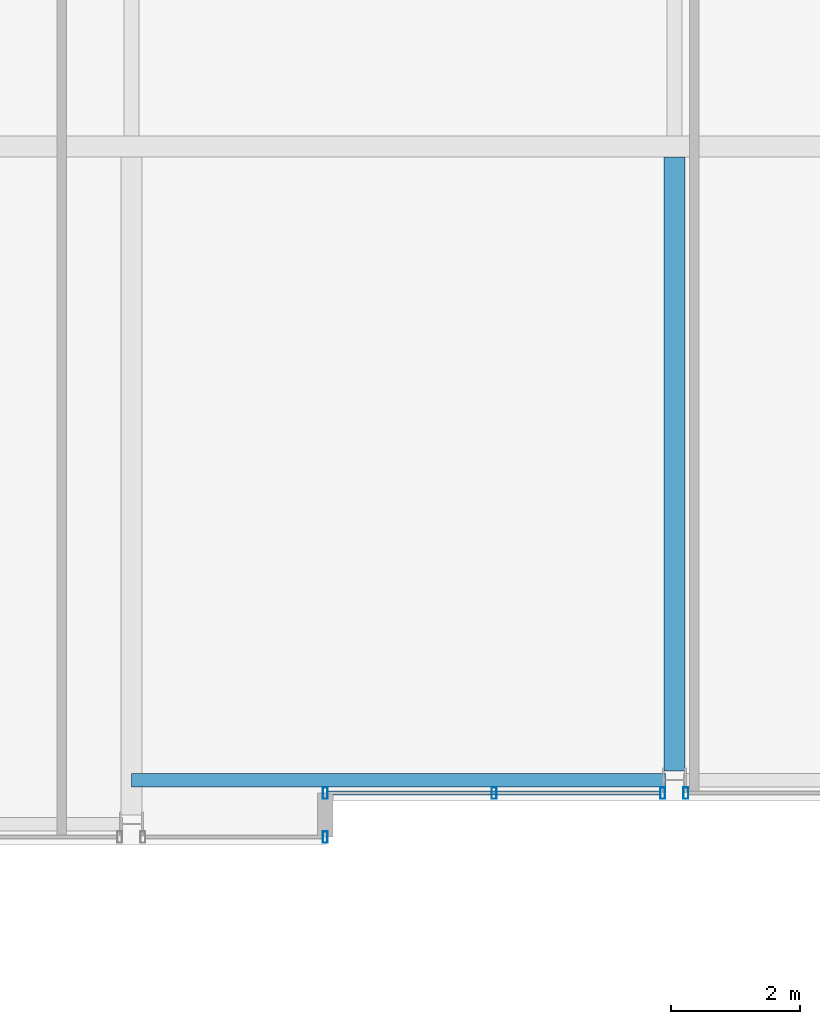
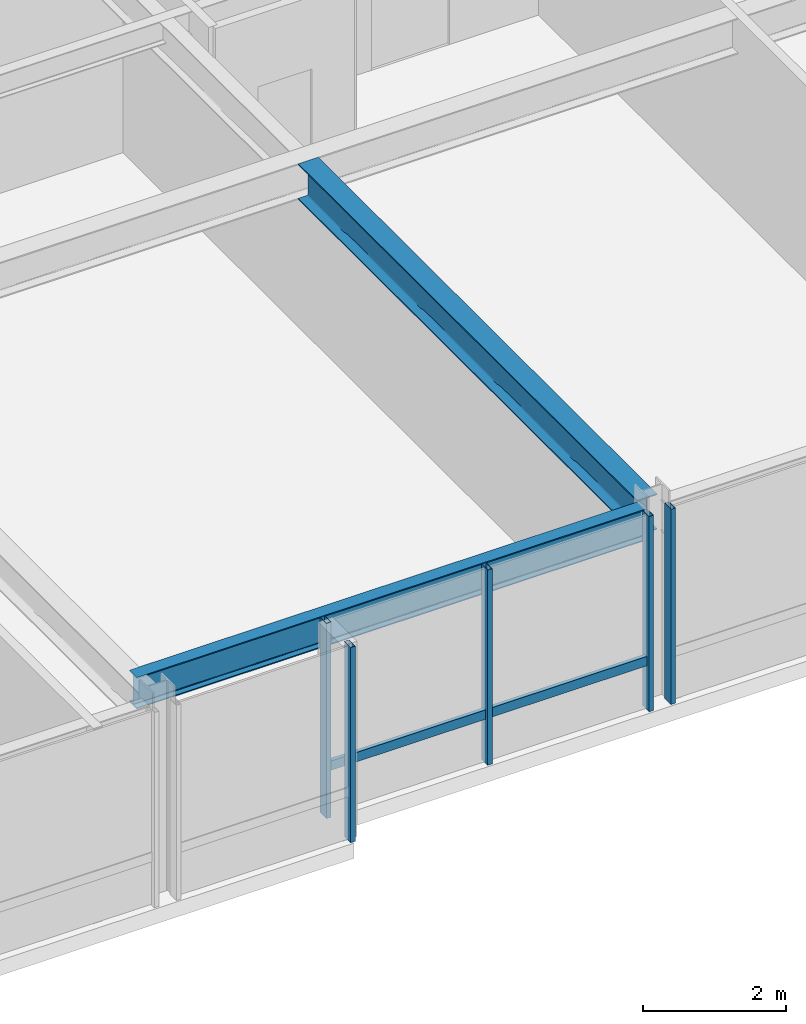
# One storey, part 7 of 31: 6 members, 2 beams, 3 elements without a shape of their own.
"""IFC4 building model written with IfcOpenShell, lengths in metres."""

from ifc_helpers import new_model, si_unit, direction, frame, origin, origin_2d, place, context, subcontext, project, spatial, hollow_rectangle, i_section, extrude, material, layer, layer_set, material_profile, profile_set, type_object, element, aggregate, save


model = new_model("IFC4")

# Units and contexts
model_context = context("Model", 3, precision=1e-05, world=origin(), true_north=direction((0.0, 1.0)))
body_context = subcontext(model_context, "Body", "Model", "MODEL_VIEW")
ifc_project = project(units=[si_unit("LENGTHUNIT", "METRE"), si_unit("AREAUNIT", "SQUARE_METRE"), si_unit("VOLUMEUNIT", "CUBIC_METRE"), si_unit("PLANEANGLEUNIT", "RADIAN"), si_unit("MASSUNIT", "GRAM", prefix="KILO")], contexts=[model_context])

# Site, building, storey
site_placement = place(None, origin())
site = spatial("IfcSite", under=ifc_project, at=site_placement, CompositionType="ELEMENT")
building_placement = place(site_placement, origin())
building = spatial("IfcBuilding", under=site, at=building_placement, Name="Drelvath Grand Hotel", CompositionType="ELEMENT")
storey_placement = place(building_placement, frame((0.0, 0.0, 244.699951171875)))
storey = spatial("IfcBuildingStorey", under=building, at=storey_placement, Name="L64", CompositionType="ELEMENT", Elevation=244.699951171875)

# Curtain wall, members
ifc_material_1 = material(Name="Platinum-Mist Anodised Aluminium Frame", Category="aluminium")
ifc_layer = layer(ifc_material_1, 0.199951171875)
ifc_layer_set = layer_set([ifc_layer], Name="Platinum-Mist Anodised Aluminium Frame")
curtain_wall_type = type_object("IfcCurtainWallType", Name="Stick Curtain Wall CW-05 Platinum Mist High-Rise", PredefinedType="NOTDEFINED", material=ifc_layer_set)
curtain_wall_1_placement = place(storey_placement, origin())
curtain_wall_1 = element("IfcCurtainWall", 1, at=curtain_wall_1_placement, inside=storey, type_object=curtain_wall_type, Name="L64 CW-05 Curtain Wall CW05-L64-SM1", PredefinedType="NOTDEFINED")
ifc_material_profile_1 = material_profile(ifc_material_1, hollow_rectangle(XDim=0.06494140625, YDim=0.159912109375, WallThickness=0.00390625, at=origin_2d()), Name="HSS160X65X4")
ifc_profile_set_1 = profile_set([ifc_material_profile_1], Name="Platinum-Mist Anodised Aluminium Frame")
member_type_1 = type_object("IfcMemberType", Name="Curtain Wall Horizontal Transom CW-05 HSS160X65X4", PredefinedType="USERDEFINED", material=ifc_profile_set_1)
member_1_placement = place(storey_placement, frame((-0.21826171875, 0.800048828125, 0.8349609375), z_axis=(-1.0, 0.0, 0.0), x_axis=(0.0, -1.0, 0.0)))
member_1 = element("IfcMember", 2, at=member_1_placement, type_object=member_type_1, Name="CW05-L64-SM1 Sill Transom", ObjectType="TRANSOM", PredefinedType="USERDEFINED", context=body_context, shape_type="SweptSolid", body=[
    extrude(hollow_rectangle(XDim=0.06494140625, YDim=0.159912109375, WallThickness=0.00390625, at=origin_2d()), origin(), (0.0, 0.0, 1.0), 5.141845703125),
])
ifc_material_profile_2 = material_profile(ifc_material_1, hollow_rectangle(XDim=0.074951171875, YDim=0.179931640625, WallThickness=0.0048828125, at=origin_2d()), Name="HSS180X75X5")
ifc_profile_set_2 = profile_set([ifc_material_profile_2], Name="Platinum-Mist Anodised Aluminium Frame")
member_type_2 = type_object("IfcMemberType", Name="Curtain Wall Vertical Mullion CW-05 HSS180X75X5", PredefinedType="MULLION", material=ifc_profile_set_2)
member_2_placement = place(storey_placement, frame((-0.17822265625, 0.800048828125, 0.0), z_axis=(0.0, 0.0, 1.0), x_axis=(1.0, 0.0, 0.0)))
member_2 = element("IfcMember", 3, at=member_2_placement, type_object=member_type_2, Name="CW05-L64-SM1 Mullion 1", PredefinedType="MULLION", context=body_context, shape_type="SweptSolid", body=[
    extrude(hollow_rectangle(XDim=0.074951171875, YDim=0.179931640625, WallThickness=0.0048828125, at=origin_2d()), origin(), (0.0, 0.0, 1.0), 3.340087890625),
])
member_3_placement = place(storey_placement, frame((-2.7890625, 0.800048828125, 0.0), z_axis=(0.0, 0.0, 1.0), x_axis=(1.0, 0.0, 0.0)))
member_3 = element("IfcMember", 4, at=member_3_placement, type_object=member_type_2, Name="CW05-L64-SM1 Mullion 2", PredefinedType="MULLION", context=body_context, shape_type="SweptSolid", body=[
    extrude(hollow_rectangle(XDim=0.074951171875, YDim=0.179931640625, WallThickness=0.0048828125, at=origin_2d()), origin(), (0.0, 0.0, 1.0), 3.340087890625),
])
member_4_placement = place(storey_placement, frame((-5.39990234375, 0.800048828125, 0.0), z_axis=(0.0, 0.0, 1.0), x_axis=(1.0, 0.0, 0.0)))
member_4 = element("IfcMember", 5, at=member_4_placement, type_object=member_type_2, Name="CW05-L64-SM1 Mullion 3", PredefinedType="MULLION", context=body_context, shape_type="SweptSolid", body=[
    extrude(hollow_rectangle(XDim=0.074951171875, YDim=0.179931640625, WallThickness=0.0048828125, at=origin_2d()), origin(), (0.0, 0.0, 1.0), 3.340087890625),
])
aggregate(curtain_wall_1, [member_2, member_3, member_4, member_1])

# Curtain wall, member
curtain_wall_2_placement = place(storey_placement, origin())
curtain_wall_2 = element("IfcCurtainWall", 6, at=curtain_wall_2_placement, inside=storey, type_object=curtain_wall_type, Name="L64 CW-05 Curtain Wall CW05-L64-SM2", PredefinedType="NOTDEFINED")
member_5_placement = place(storey_placement, frame((0.17822265625, 0.800048828125, 0.0), z_axis=(0.0, 0.0, 1.0), x_axis=(1.0, 0.0, 0.0)))
member_5 = element("IfcMember", 7, at=member_5_placement, type_object=member_type_2, Name="CW05-L64-SM2 Mullion 3", PredefinedType="MULLION", context=body_context, shape_type="SweptSolid", body=[
    extrude(hollow_rectangle(XDim=0.074951171875, YDim=0.179931640625, WallThickness=0.0048828125, at=origin_2d()), origin(), (0.0, 0.0, 1.0), 3.340087890625),
])
aggregate(curtain_wall_2, [member_5])

curtain_wall_3_placement = place(storey_placement, origin())
curtain_wall_3 = element("IfcCurtainWall", 8, at=curtain_wall_3_placement, inside=storey, type_object=curtain_wall_type, Name="L64 CW-05 Curtain Wall CW05-L64-SW3", PredefinedType="NOTDEFINED")
member_6_placement = place(storey_placement, frame((-5.39990234375, 0.1201171875, 0.0), z_axis=(0.0, 0.0, 1.0), x_axis=(1.0, 0.0, 0.0)))
member_6 = element("IfcMember", 9, at=member_6_placement, type_object=member_type_2, Name="CW05-L64-SW3 Mullion 1", PredefinedType="MULLION", context=body_context, shape_type="SweptSolid", body=[
    extrude(hollow_rectangle(XDim=0.074951171875, YDim=0.179931640625, WallThickness=0.0048828125, at=origin_2d()), origin(), (0.0, 0.0, 1.0), 3.340087890625),
])
aggregate(curtain_wall_3, [member_6])

# Beams
ifc_material_2 = material(Name="Steel ASTM A992 Gr 50", Category="steel")
ifc_material_profile_3 = material_profile(ifc_material_2, i_section(OverallWidth=0.210205078125, OverallDepth=0.53662109375, WebThickness=0.010986328125, FlangeThickness=0.017333984375, FilletRadius=0.01806640625, at=origin_2d()), Name="W21X68")
ifc_profile_set_3 = profile_set([ifc_material_profile_3], Name="Steel ASTM A992 Gr 50")
beam_type_1 = type_object("IfcBeamType", Name="Perimeter Spandrel Beam W21X68", PredefinedType="SPANDREL", material=ifc_profile_set_3)
beam_1_placement = place(storey_placement, frame((-8.39990234375, 1.0, 3.071533203125), z_axis=(1.0, 0.0, 0.0), x_axis=(0.0, 1.0, 0.0)))
element("IfcBeam", 10, at=beam_1_placement, inside=storey, type_object=beam_type_1, Name="L64 Spandrel South Mid W", PredefinedType="SPANDREL", context=body_context, shape_type="SweptSolid", body=[
    extrude(i_section(OverallWidth=0.210205078125, OverallDepth=0.53662109375, WebThickness=0.010986328125, FlangeThickness=0.017333984375, FilletRadius=0.01806640625, at=origin_2d()), origin(), (0.0, 0.0, 1.0), 8.260009765625),
])
ifc_material_profile_4 = material_profile(ifc_material_2, i_section(OverallWidth=0.323974609375, OverallDepth=0.611083984375, WebThickness=0.0126953125, FlangeThickness=0.01904296875, FilletRadius=0.02197265625, at=origin_2d()), Name="W24X104")
ifc_profile_set_4 = profile_set([ifc_material_profile_4], Name="Steel ASTM A992 Gr 50")
beam_type_2 = type_object("IfcBeamType", Name="Primary Floor Girder W24X104", PredefinedType="BEAM", material=ifc_profile_set_4)
beam_2_placement = place(storey_placement, frame((0.0, 1.139892578125, 3.034423828125), z_axis=(0.0, 1.0, 0.0), x_axis=(-1.0, 0.0, 0.0)))
element("IfcBeam", 11, at=beam_2_placement, inside=storey, type_object=beam_type_2, Name="L64 South Wing Girder 5", PredefinedType="BEAM", context=body_context, shape_type="SweptSolid", body=[
    extrude(i_section(OverallWidth=0.323974609375, OverallDepth=0.611083984375, WebThickness=0.0126953125, FlangeThickness=0.01904296875, FilletRadius=0.02197265625, at=origin_2d()), origin(), (0.0, 0.0, 1.0), 9.498046875),
])

save(model, "model.ifc")
